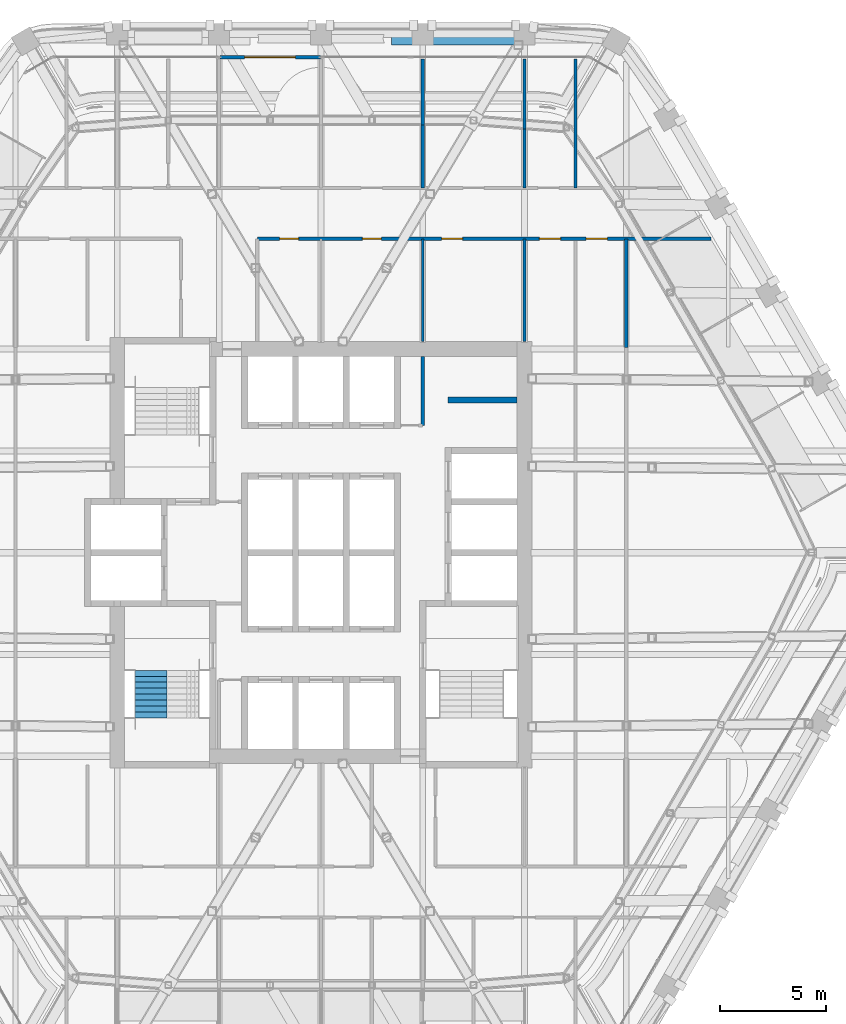
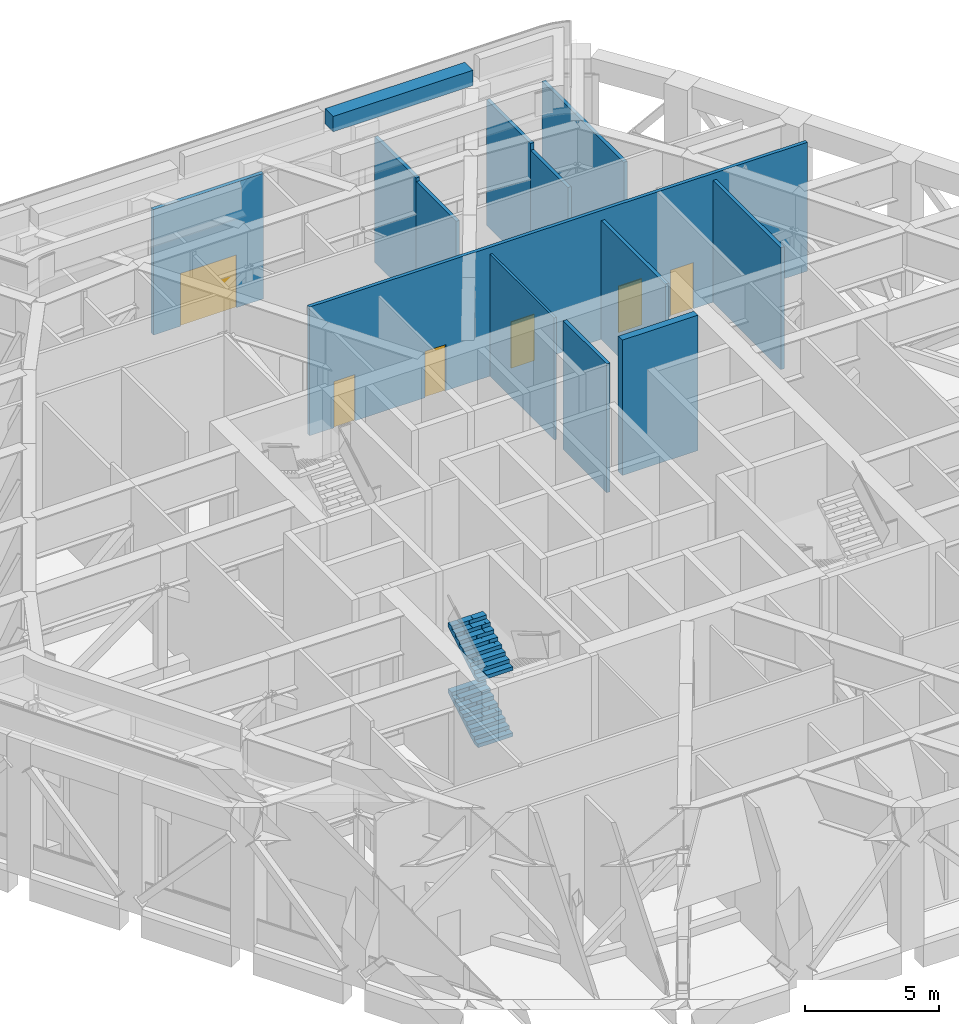
# One storey, part 17 of 24: 13 walls, 6 doors, 2 stair flights, 6 openings, 1 element without a shape of its own.
"""IFC4 building model written with IfcOpenShell, lengths in metres."""

from ifc_helpers import new_model, si_unit, direction, frame, frame_2d, origin, place, context, subcontext, project, spatial, polyline, rectangle, outline, extrude, material, layer, layer_set, type_object, element, fill, aggregate, save


model = new_model("IFC4")

# Units and contexts
model_context = context("Model", 3, precision=1e-05, world=origin(), true_north=direction((0.0, 1.0)))
body_context = subcontext(model_context, "Body", "Model", "MODEL_VIEW")
ifc_project = project(units=[si_unit("LENGTHUNIT", "METRE"), si_unit("AREAUNIT", "SQUARE_METRE"), si_unit("VOLUMEUNIT", "CUBIC_METRE"), si_unit("PLANEANGLEUNIT", "RADIAN"), si_unit("MASSUNIT", "GRAM", prefix="KILO")], contexts=[model_context])

# Site, building, storey
site_placement = place(None, origin())
site = spatial("IfcSite", under=ifc_project, at=site_placement, CompositionType="ELEMENT")
building_placement = place(site_placement, origin())
building = spatial("IfcBuilding", under=site, at=building_placement, Name="Kolab Exchange Tower", CompositionType="ELEMENT")
storey_placement = place(building_placement, frame((0.0, 0.0, 216.800048828125)))
storey = spatial("IfcBuildingStorey", under=building, at=storey_placement, Name="L47", CompositionType="ELEMENT", Elevation=216.800048828125)

# Wall, opening, door
ifc_material_1 = material(Name="Aluminium EN AW-6063 T6", Category="aluminium")
ifc_layer_1 = layer(ifc_material_1, 0.159912109375)
ifc_layer_set_1 = layer_set([ifc_layer_1], Name="Aluminium EN AW-6063 T6")
wall_type_1 = type_object("IfcWallType", Name="DOOR SURROUND WALL 160 ALUMINIUM FRAMED", PredefinedType="PARTITIONING", material=ifc_layer_set_1)
wall_1_placement = place(storey_placement, frame((-4.77001953125, 23.361572265625, 0.0), z_axis=(0.0, 0.0, 1.0), x_axis=(1.0, 0.0, 0.0)))
wall_1 = element("IfcWall", 1, at=wall_1_placement, inside=storey, type_object=wall_type_1, Name="Door surround wall", PredefinedType="PARTITIONING", context=body_context, shape_type="SweptSolid", body=[
    extrude(rectangle(XDim=4.739990234375, YDim=0.159912109375, at=frame_2d((2.3701171875, 0.0))), origin(), (0.0, 0.0, 1.0), 5.699951171875),
])
opening_1_placement = place(wall_1_placement, frame((1.169921875, 0.0, 0.0)))
opening_1 = element("IfcOpeningElement", 2, at=opening_1_placement, cuts=wall_1, Name="Opening GD1-086", PredefinedType="OPENING", context=body_context, shape_type="SweptSolid", body=[
    extrude(rectangle(XDim=2.39990234375, YDim=2.39990234375, at=frame_2d((1.199951171875, 1.199951171875))), frame((0.0, 0.08984375, 0.0), z_axis=(0.0, -1.0, 0.0), x_axis=(1.0, 0.0, 0.0)), (0.0, 0.0, 1.0), 0.179931640625),
])
door_type_1 = type_object("IfcDoorType", Name="LOGGIA SLIDING GLASS DOOR 2400 X 2400", OperationType="DOUBLE_DOOR_SINGLE_SWING", PredefinedType="DOOR", material=ifc_material_1)
door_1_placement = place(opening_1_placement, origin())
door_1 = element("IfcDoor", 3, at=door_1_placement, inside=storey, type_object=door_type_1, Name="Loggia door", OperationType="DOUBLE_DOOR_SLIDING", OverallHeight=2.39990234375, OverallWidth=2.39990234375, PredefinedType="DOOR", context=body_context, shape_type="SweptSolid", body=[
    extrude(rectangle(XDim=2.39990234375, YDim=2.39990234375, at=frame_2d((1.199951171875, 1.199951171875))), frame((0.0, 0.02490234375, 0.0), z_axis=(0.0, -1.0, 0.0), x_axis=(1.0, 0.0, 0.0)), (0.0, 0.0, 1.0), 0.050048828125),
])
fill(opening_1, door_1)

# Walls
ifc_material_2 = material(Name="Concrete C50/60", Category="concrete")
ifc_layer_2 = layer(ifc_material_2, 0.300048828125)
ifc_layer_set_2 = layer_set([ifc_layer_2], Name="Concrete C50/60")
wall_type_2 = type_object("IfcWallType", Name="LIFT SHAFT WALL 300 C50/60", PredefinedType="STANDARD", material=ifc_layer_set_2)
wall_2_placement = place(storey_placement, frame((6.0, 7.199951171875, -0.300048828125), z_axis=(0.0, 0.0, 1.0), x_axis=(1.0, 0.0, 0.0)))
element("IfcWall", 4, at=wall_2_placement, inside=storey, type_object=wall_type_2, Name="wall/L47/core/030", PredefinedType="STANDARD", context=body_context, shape_type="SweptSolid", body=[
    extrude(rectangle(XDim=3.25, YDim=0.300048828125, at=frame_2d((1.625, 0.0))), origin(), (0.0, 0.0, 1.0), 6.14990234375),
])
ifc_material_3 = material(Name="Gypsum board", Category="gypsum")
ifc_layer_3 = layer(ifc_material_3, 0.10009765625)
ifc_layer_set_3 = layer_set([ifc_layer_3], Name="Gypsum board")
wall_type_3 = type_object("IfcWallType", Name="PARTITION 100", PredefinedType="PARTITIONING", material=ifc_layer_set_3)
wall_3_placement = place(storey_placement, frame((4.800048828125, 9.949951171875, 0.0), z_axis=(0.0, 0.0, 1.0), x_axis=(0.0, 1.0, 0.0)))
element("IfcWall", 5, at=wall_3_placement, inside=storey, type_object=wall_type_3, Name="Partition 009", PredefinedType="PARTITIONING", context=body_context, shape_type="SweptSolid", body=[
    extrude(rectangle(XDim=4.85009765625, YDim=0.10009765625, at=frame_2d((2.425048828125, 0.0))), origin(), (0.0, 0.0, 1.0), 5.5400390625),
])
ifc_layer_4 = layer(ifc_material_3, 0.14990234375)
ifc_layer_set_4 = layer_set([ifc_layer_4], Name="Gypsum board")
wall_type_4 = type_object("IfcWallType", Name="PARTITION 150 FIRE-RATED", PredefinedType="PARTITIONING", material=ifc_layer_set_4)
wall_4_placement = place(storey_placement, frame((14.39990234375, 9.674072265625, 0.0), z_axis=(0.0, 0.0, 1.0), x_axis=(0.0, 1.0, 0.0)))
element("IfcWall", 6, at=wall_4_placement, inside=storey, type_object=wall_type_4, Name="Partition 000", PredefinedType="PARTITIONING", context=body_context, shape_type="SweptSolid", body=[
    extrude(rectangle(XDim=5.1259765625, YDim=0.14990234375, at=frame_2d((2.56298828125, 0.0))), origin(), (0.0, 0.0, 1.0), 5.5400390625),
])
wall_5_placement = place(storey_placement, frame((12.0, 17.199951171875, 0.0), z_axis=(0.0, 0.0, 1.0), x_axis=(0.0, 1.0, 0.0)))
element("IfcWall", 7, at=wall_5_placement, inside=storey, type_object=wall_type_4, Name="Partition 003", PredefinedType="PARTITIONING", context=body_context, shape_type="SweptSolid", body=[
    extrude(rectangle(XDim=6.071533203125, YDim=0.14990234375, at=frame_2d((3.03564453125, 0.0))), origin(), (0.0, 0.0, 1.0), 5.699951171875),
])
wall_6_placement = place(storey_placement, frame((9.60009765625, 9.949951171875, 0.0), z_axis=(0.0, 0.0, 1.0), x_axis=(0.0, 1.0, 0.0)))
element("IfcWall", 8, at=wall_6_placement, inside=storey, type_object=wall_type_4, Name="Partition 005", PredefinedType="PARTITIONING", context=body_context, shape_type="SweptSolid", body=[
    extrude(rectangle(XDim=4.85009765625, YDim=0.14990234375, at=frame_2d((2.425048828125, 0.0))), origin(), (0.0, 0.0, 1.0), 5.39306640625),
])
wall_7_placement = place(storey_placement, frame((9.60009765625, 19.982421875, 0.0), z_axis=(0.0, 0.0, 1.0), x_axis=(0.0, 1.0, 0.0)))
element("IfcWall", 9, at=wall_7_placement, inside=storey, type_object=wall_type_4, Name="Partition 006", PredefinedType="PARTITIONING", context=body_context, shape_type="SweptSolid", body=[
    extrude(rectangle(XDim=3.2890625, YDim=0.14990234375, at=frame_2d((1.64453125, 0.0))), origin(), (0.0, 0.0, 1.0), 5.699951171875),
])
wall_8_placement = place(storey_placement, frame((9.60009765625, 17.199951171875, 0.0), z_axis=(0.0, 0.0, 1.0), x_axis=(0.0, 1.0, 0.0)))
element("IfcWall", 10, at=wall_8_placement, inside=storey, type_object=wall_type_4, Name="Partition 006", PredefinedType="PARTITIONING", context=body_context, shape_type="SweptSolid", body=[
    extrude(rectangle(XDim=2.782470703125, YDim=0.14990234375, at=frame_2d((1.39111328125, 0.0))), origin(), (0.0, 0.0, 1.0), 5.39306640625),
])
wall_9_placement = place(storey_placement, frame((4.800048828125, 6.0, 0.0), z_axis=(0.0, 0.0, 1.0), x_axis=(0.0, 1.0, 0.0)))
element("IfcWall", 11, at=wall_9_placement, inside=storey, type_object=wall_type_4, Name="Partition 011", PredefinedType="PARTITIONING", context=body_context, shape_type="SweptSolid", body=[
    extrude(rectangle(XDim=3.25, YDim=0.14990234375, at=frame_2d((1.625, 0.0))), origin(), (0.0, 0.0, 1.0), 5.849853515625),
])
wall_10_placement = place(storey_placement, frame((4.800048828125, 20.174560546875, 0.0), z_axis=(0.0, 0.0, 1.0), x_axis=(0.0, 1.0, 0.0)))
element("IfcWall", 12, at=wall_10_placement, inside=storey, type_object=wall_type_4, Name="Partition 012", PredefinedType="PARTITIONING", context=body_context, shape_type="SweptSolid", body=[
    extrude(rectangle(XDim=3.096923828125, YDim=0.14990234375, at=frame_2d((1.54833984375, 0.0))), origin(), (0.0, 0.0, 1.0), 5.699951171875),
])
wall_11_placement = place(storey_placement, frame((4.800048828125, 17.199951171875, 0.0), z_axis=(0.0, 0.0, 1.0), x_axis=(0.0, 1.0, 0.0)))
element("IfcWall", 13, at=wall_11_placement, inside=storey, type_object=wall_type_4, Name="Partition 012", PredefinedType="PARTITIONING", context=body_context, shape_type="SweptSolid", body=[
    extrude(rectangle(XDim=2.974609375, YDim=0.14990234375, at=frame_2d((1.4873046875, 0.0))), origin(), (0.0, 0.0, 1.0), 5.5400390625),
])

# Wall, openings, doors
wall_12_placement = place(storey_placement, frame((-3.0, 14.800048828125, 0.0), z_axis=(0.0, 0.0, 1.0), x_axis=(1.0, 0.0, 0.0)))
wall_12 = element("IfcWall", 14, at=wall_12_placement, inside=storey, type_object=wall_type_4, Name="Partition 039", PredefinedType="PARTITIONING", context=body_context, shape_type="SweptSolid", body=[
    extrude(rectangle(XDim=21.384521484375, YDim=0.14990234375, at=frame_2d((10.6923828125, 0.0))), origin(), (0.0, 0.0, 1.0), 5.849853515625),
])
opening_2_placement = place(wall_12_placement, frame((1.050048828125, 0.0, 0.0)))
opening_2 = element("IfcOpeningElement", 15, at=opening_2_placement, cuts=wall_12, Name="Opening D3-069", PredefinedType="OPENING", context=body_context, shape_type="SweptSolid", body=[
    extrude(rectangle(XDim=0.89990234375, YDim=2.10009765625, at=frame_2d((0.449951171875, 1.050048828125))), frame((0.0, 0.0849609375, 0.0), z_axis=(0.0, -1.0, 0.0), x_axis=(1.0, 0.0, 0.0)), (0.0, 0.0, 1.0), 0.169921875),
])
opening_3_placement = place(wall_12_placement, frame((4.949951171875, 0.0, 0.0)))
opening_3 = element("IfcOpeningElement", 16, at=opening_3_placement, cuts=wall_12, Name="Opening D3-070", PredefinedType="OPENING", context=body_context, shape_type="SweptSolid", body=[
    extrude(rectangle(XDim=0.89990234375, YDim=2.10009765625, at=frame_2d((0.449951171875, 1.050048828125))), frame((0.0, 0.0849609375, 0.0), z_axis=(0.0, -1.0, 0.0), x_axis=(1.0, 0.0, 0.0)), (0.0, 0.0, 1.0), 0.169921875),
])
opening_4_placement = place(wall_12_placement, frame((8.68505859375, 0.0, 0.0)))
opening_4 = element("IfcOpeningElement", 17, at=opening_4_placement, cuts=wall_12, Name="Opening D1-605", PredefinedType="OPENING", context=body_context, shape_type="SweptSolid", body=[
    extrude(rectangle(XDim=1.0, YDim=2.10009765625, at=frame_2d((0.5, 1.050048828125))), frame((0.0, 0.0849609375, 0.0), z_axis=(0.0, -1.0, 0.0), x_axis=(1.0, 0.0, 0.0)), (0.0, 0.0, 1.0), 0.169921875),
])
opening_5_placement = place(wall_12_placement, frame((13.300048828125, 0.0, 0.0)))
opening_5 = element("IfcOpeningElement", 18, at=opening_5_placement, cuts=wall_12, Name="Opening D1-628", PredefinedType="OPENING", context=body_context, shape_type="SweptSolid", body=[
    extrude(rectangle(XDim=1.0, YDim=2.10009765625, at=frame_2d((0.5, 1.050048828125))), frame((0.0, 0.0849609375, 0.0), z_axis=(0.0, -1.0, 0.0), x_axis=(1.0, 0.0, 0.0)), (0.0, 0.0, 1.0), 0.169921875),
])
opening_6_placement = place(wall_12_placement, frame((15.5, 0.0, 0.0)))
opening_6 = element("IfcOpeningElement", 19, at=opening_6_placement, cuts=wall_12, Name="Opening D1-629", PredefinedType="OPENING", context=body_context, shape_type="SweptSolid", body=[
    extrude(rectangle(XDim=1.0, YDim=2.10009765625, at=frame_2d((0.5, 1.050048828125))), frame((0.0, 0.0849609375, 0.0), z_axis=(0.0, -1.0, 0.0), x_axis=(1.0, 0.0, 0.0)), (0.0, 0.0, 1.0), 0.169921875),
])
ifc_material_4 = material(Name="Steel S235", Category="steel")
door_type_2 = type_object("IfcDoorType", Name="FLUSH DOOR 1000 FD60", OperationType="SINGLE_SWING_LEFT", PredefinedType="DOOR", material=ifc_material_4)
door_2_placement = place(opening_4_placement, frame((1.0, 0.0, 0.0), z_axis=(0.0, 0.0, 1.0), x_axis=(-1.0, 0.0, 0.0)))
door_2 = element("IfcDoor", 20, at=door_2_placement, inside=storey, type_object=door_type_2, Name="Door L47-033", OperationType="SINGLE_SWING_LEFT", OverallHeight=2.10009765625, OverallWidth=1.0, PredefinedType="DOOR", context=body_context, shape_type="SweptSolid", body=[
    extrude(rectangle(XDim=1.0, YDim=2.10009765625, at=frame_2d((0.5, 1.050048828125))), frame((0.0, 0.02490234375, 0.0), z_axis=(0.0, -1.0, 0.0), x_axis=(1.0, 0.0, 0.0)), (0.0, 0.0, 1.0), 0.050048828125),
])
fill(opening_4, door_2)
door_3_placement = place(opening_5_placement, frame((1.0, 0.0, 0.0), z_axis=(0.0, 0.0, 1.0), x_axis=(-1.0, 0.0, 0.0)))
door_3 = element("IfcDoor", 21, at=door_3_placement, inside=storey, type_object=door_type_2, Name="Door L47-057", OperationType="SINGLE_SWING_RIGHT", OverallHeight=2.10009765625, OverallWidth=1.0, PredefinedType="DOOR", context=body_context, shape_type="SweptSolid", body=[
    extrude(rectangle(XDim=1.0, YDim=2.10009765625, at=frame_2d((0.5, 1.050048828125))), frame((0.0, 0.02490234375, 0.0), z_axis=(0.0, -1.0, 0.0), x_axis=(1.0, 0.0, 0.0)), (0.0, 0.0, 1.0), 0.050048828125),
])
fill(opening_5, door_3)
door_4_placement = place(opening_6_placement, frame((1.0, 0.0, 0.0), z_axis=(0.0, 0.0, 1.0), x_axis=(-1.0, 0.0, 0.0)))
door_4 = element("IfcDoor", 22, at=door_4_placement, inside=storey, type_object=door_type_2, Name="Door L47-058", OperationType="SINGLE_SWING_LEFT", OverallHeight=2.10009765625, OverallWidth=1.0, PredefinedType="DOOR", context=body_context, shape_type="SweptSolid", body=[
    extrude(rectangle(XDim=1.0, YDim=2.10009765625, at=frame_2d((0.5, 1.050048828125))), frame((0.0, 0.02490234375, 0.0), z_axis=(0.0, -1.0, 0.0), x_axis=(1.0, 0.0, 0.0)), (0.0, 0.0, 1.0), 0.050048828125),
])
fill(opening_6, door_4)
door_type_3 = type_object("IfcDoorType", Name="FLUSH DOOR 900 FD60", OperationType="SINGLE_SWING_LEFT", PredefinedType="DOOR", material=ifc_material_4)
door_5_placement = place(opening_2_placement, frame((0.89990234375, 0.0, 0.0), z_axis=(0.0, 0.0, 1.0), x_axis=(-1.0, 0.0, 0.0)))
door_5 = element("IfcDoor", 23, at=door_5_placement, inside=storey, type_object=door_type_3, Name="Door L47-031", OperationType="SINGLE_SWING_LEFT", OverallHeight=2.10009765625, OverallWidth=0.89990234375, PredefinedType="DOOR", context=body_context, shape_type="SweptSolid", body=[
    extrude(rectangle(XDim=0.89990234375, YDim=2.10009765625, at=frame_2d((0.449951171875, 1.050048828125))), frame((0.0, 0.02490234375, 0.0), z_axis=(0.0, -1.0, 0.0), x_axis=(1.0, 0.0, 0.0)), (0.0, 0.0, 1.0), 0.050048828125),
])
fill(opening_2, door_5)
door_6_placement = place(opening_3_placement, frame((0.89990234375, 0.0, 0.0), z_axis=(0.0, 0.0, 1.0), x_axis=(-1.0, 0.0, 0.0)))
door_6 = element("IfcDoor", 24, at=door_6_placement, inside=storey, type_object=door_type_3, Name="Door L47-032", OperationType="SINGLE_SWING_RIGHT", OverallHeight=2.10009765625, OverallWidth=0.89990234375, PredefinedType="DOOR", context=body_context, shape_type="SweptSolid", body=[
    extrude(rectangle(XDim=0.89990234375, YDim=2.10009765625, at=frame_2d((0.449951171875, 1.050048828125))), frame((0.0, 0.02490234375, 0.0), z_axis=(0.0, -1.0, 0.0), x_axis=(1.0, 0.0, 0.0)), (0.0, 0.0, 1.0), 0.050048828125),
])
fill(opening_3, door_6)

# Wall
ifc_material_5 = material(Name="Granite facing", Category="masonry")
ifc_layer_5 = layer(ifc_material_5, 0.0400390625)
ifc_material_6 = material(Name="Concrete C40/50 precast", Category="concrete")
ifc_layer_6 = layer(ifc_material_6, 0.56005859375)
ifc_layer_set_5 = layer_set([ifc_layer_5, ifc_layer_6], Name="Concrete C40/50 precast")
wall_type_5 = type_object("IfcWallType", Name="PLANTER BOX 600 X 700 SOIL DEPTH 550", PredefinedType="USERDEFINED", material=ifc_layer_set_5)
wall_13_placement = place(storey_placement, frame((3.333984375, 24.241455078125, 6.0), z_axis=(0.0, 0.0, 1.0), x_axis=(1.0, 0.0, 0.0)))
element("IfcWall", 25, at=wall_13_placement, inside=storey, type_object=wall_type_5, Name="Planter", ObjectType="PLANTER", PredefinedType="USERDEFINED", context=body_context, shape_type="SweptSolid", body=[
    extrude(rectangle(XDim=6.0, YDim=0.60009765625, at=frame_2d((3.0, 0.0))), origin(), (0.0, 0.0, 1.0), 0.699951171875),
])

# Stair, stair flights
stair_type = type_object("IfcStairType", Name="STAIR ST3 RISER 166.7", PredefinedType="DOUBLE_RETURN_STAIR", material=ifc_material_2)
stair_placement = place(storey_placement, origin())
stair = element("IfcStair", 26, at=stair_placement, inside=storey, type_object=stair_type, Name="Stair 3", PredefinedType="DOUBLE_RETURN_STAIR")
stair_flight_type = type_object("IfcStairFlightType", Name="STAIR FLIGHT 1500 RISER 166.7", PredefinedType="STRAIGHT", material=ifc_material_2)
stair_flight_1_placement = place(storey_placement, frame((-8.010009765625, -7.7900390625, 1.5), z_axis=(0.0, 0.0, 1.0), x_axis=(0.0, 1.0, 0.0)))
stair_flight_1 = element("IfcStairFlight", 27, at=stair_flight_1_placement, type_object=stair_flight_type, Name="ST3 flight 2", NumberOfRisers=9, NumberOfTreads=8, PredefinedType="STRAIGHT", RiserHeight=0.166666667, TreadLength=0.28, context=body_context, shape_type="SweptSolid", body=[
    extrude(outline(polyline([(0.0, 0.0), (0.0, 0.166748046875), (0.280029296875, 0.166748046875), (0.280029296875, 0.333251953125), (0.56005859375, 0.333251953125), (0.56005859375, 0.5), (0.840087890625, 0.5), (0.840087890625, 0.666748046875), (1.1201171875, 0.666748046875), (1.1201171875, 0.833251953125), (1.39990234375, 0.833251953125), (1.39990234375, 1.0), (1.679931640625, 1.0), (1.679931640625, 1.166748046875), (1.9599609375, 1.166748046875), (1.9599609375, 1.333251953125), (2.239990234375, 1.333251953125), (2.239990234375, 1.5), (2.239990234375, 1.158935546875), (0.29296875, 0.0), (0.0, 0.0)])), frame((0.0, 0.75, 0.0), z_axis=(0.0, -1.0, 0.0), x_axis=(1.0, 0.0, 0.0)), (0.0, 0.0, 1.0), 0.185791015625),
    extrude(outline(polyline([(0.0, 0.0), (0.0, 0.166748046875), (0.280029296875, 0.166748046875), (0.280029296875, 0.333251953125), (0.56005859375, 0.333251953125), (0.56005859375, 0.5), (0.840087890625, 0.5), (0.840087890625, 0.666748046875), (1.1201171875, 0.666748046875), (1.1201171875, 0.833251953125), (1.39990234375, 0.833251953125), (1.39990234375, 1.0), (1.679931640625, 1.0), (1.679931640625, 1.166748046875), (1.9599609375, 1.166748046875), (1.9599609375, 1.333251953125), (2.239990234375, 1.333251953125), (2.239990234375, 1.5), (2.239990234375, 1.158935546875), (0.29296875, 0.0), (0.0, 0.0)])), frame((0.0, 0.562255859375, 0.0), z_axis=(0.0, -1.0, 0.0), x_axis=(1.0, 0.0, 0.0)), (0.0, 0.0, 1.0), 0.185791015625),
    extrude(outline(polyline([(0.0, 0.0), (0.0, 0.166748046875), (0.280029296875, 0.166748046875), (0.280029296875, 0.333251953125), (0.56005859375, 0.333251953125), (0.56005859375, 0.5), (0.840087890625, 0.5), (0.840087890625, 0.666748046875), (1.1201171875, 0.666748046875), (1.1201171875, 0.833251953125), (1.39990234375, 0.833251953125), (1.39990234375, 1.0), (1.679931640625, 1.0), (1.679931640625, 1.166748046875), (1.9599609375, 1.166748046875), (1.9599609375, 1.333251953125), (2.239990234375, 1.333251953125), (2.239990234375, 1.5), (2.239990234375, 1.158935546875), (0.29296875, 0.0), (0.0, 0.0)])), frame((0.0, 0.37451171875, 0.0), z_axis=(0.0, -1.0, 0.0), x_axis=(1.0, 0.0, 0.0)), (0.0, 0.0, 1.0), 0.185791015625),
    extrude(outline(polyline([(0.0, 0.0), (0.0, 0.166748046875), (0.280029296875, 0.166748046875), (0.280029296875, 0.333251953125), (0.56005859375, 0.333251953125), (0.56005859375, 0.5), (0.840087890625, 0.5), (0.840087890625, 0.666748046875), (1.1201171875, 0.666748046875), (1.1201171875, 0.833251953125), (1.39990234375, 0.833251953125), (1.39990234375, 1.0), (1.679931640625, 1.0), (1.679931640625, 1.166748046875), (1.9599609375, 1.166748046875), (1.9599609375, 1.333251953125), (2.239990234375, 1.333251953125), (2.239990234375, 1.5), (2.239990234375, 1.158935546875), (0.29296875, 0.0), (0.0, 0.0)])), frame((0.0, 0.186767578125, 0.0), z_axis=(0.0, -1.0, 0.0), x_axis=(1.0, 0.0, 0.0)), (0.0, 0.0, 1.0), 0.185791015625),
    extrude(outline(polyline([(0.0, 0.0), (0.0, 0.166748046875), (0.280029296875, 0.166748046875), (0.280029296875, 0.333251953125), (0.56005859375, 0.333251953125), (0.56005859375, 0.5), (0.840087890625, 0.5), (0.840087890625, 0.666748046875), (1.1201171875, 0.666748046875), (1.1201171875, 0.833251953125), (1.39990234375, 0.833251953125), (1.39990234375, 1.0), (1.679931640625, 1.0), (1.679931640625, 1.166748046875), (1.9599609375, 1.166748046875), (1.9599609375, 1.333251953125), (2.239990234375, 1.333251953125), (2.239990234375, 1.5), (2.239990234375, 1.158935546875), (0.29296875, 0.0), (0.0, 0.0)])), frame((0.0, -0.0009765625, 0.0), z_axis=(0.0, -1.0, 0.0), x_axis=(1.0, 0.0, 0.0)), (0.0, 0.0, 1.0), 0.185791015625),
    extrude(outline(polyline([(0.0, 0.0), (0.0, 0.166748046875), (0.280029296875, 0.166748046875), (0.280029296875, 0.333251953125), (0.56005859375, 0.333251953125), (0.56005859375, 0.5), (0.840087890625, 0.5), (0.840087890625, 0.666748046875), (1.1201171875, 0.666748046875), (1.1201171875, 0.833251953125), (1.39990234375, 0.833251953125), (1.39990234375, 1.0), (1.679931640625, 1.0), (1.679931640625, 1.166748046875), (1.9599609375, 1.166748046875), (1.9599609375, 1.333251953125), (2.239990234375, 1.333251953125), (2.239990234375, 1.5), (2.239990234375, 1.158935546875), (0.29296875, 0.0), (0.0, 0.0)])), frame((0.0, -0.188720703125, 0.0), z_axis=(0.0, -1.0, 0.0), x_axis=(1.0, 0.0, 0.0)), (0.0, 0.0, 1.0), 0.185791015625),
    extrude(outline(polyline([(0.0, 0.0), (0.0, 0.166748046875), (0.280029296875, 0.166748046875), (0.280029296875, 0.333251953125), (0.56005859375, 0.333251953125), (0.56005859375, 0.5), (0.840087890625, 0.5), (0.840087890625, 0.666748046875), (1.1201171875, 0.666748046875), (1.1201171875, 0.833251953125), (1.39990234375, 0.833251953125), (1.39990234375, 1.0), (1.679931640625, 1.0), (1.679931640625, 1.166748046875), (1.9599609375, 1.166748046875), (1.9599609375, 1.333251953125), (2.239990234375, 1.333251953125), (2.239990234375, 1.5), (2.239990234375, 1.158935546875), (0.29296875, 0.0), (0.0, 0.0)])), frame((0.0, -0.37646484375, 0.0), z_axis=(0.0, -1.0, 0.0), x_axis=(1.0, 0.0, 0.0)), (0.0, 0.0, 1.0), 0.185791015625),
    extrude(outline(polyline([(0.0, 0.0), (0.0, 0.166748046875), (0.280029296875, 0.166748046875), (0.280029296875, 0.333251953125), (0.56005859375, 0.333251953125), (0.56005859375, 0.5), (0.840087890625, 0.5), (0.840087890625, 0.666748046875), (1.1201171875, 0.666748046875), (1.1201171875, 0.833251953125), (1.39990234375, 0.833251953125), (1.39990234375, 1.0), (1.679931640625, 1.0), (1.679931640625, 1.166748046875), (1.9599609375, 1.166748046875), (1.9599609375, 1.333251953125), (2.239990234375, 1.333251953125), (2.239990234375, 1.5), (2.239990234375, 1.158935546875), (0.29296875, 0.0), (0.0, 0.0)])), frame((0.0, -0.564208984375, 0.0), z_axis=(0.0, -1.0, 0.0), x_axis=(1.0, 0.0, 0.0)), (0.0, 0.0, 1.0), 0.185791015625),
])
stair_flight_2_placement = place(storey_placement, frame((-8.010009765625, -7.7900390625, 4.5), z_axis=(0.0, 0.0, 1.0), x_axis=(0.0, 1.0, 0.0)))
stair_flight_2 = element("IfcStairFlight", 28, at=stair_flight_2_placement, type_object=stair_flight_type, Name="ST3 flight 4", NumberOfRisers=9, NumberOfTreads=8, PredefinedType="STRAIGHT", RiserHeight=0.166666667, TreadLength=0.28, context=body_context, shape_type="SweptSolid", body=[
    extrude(outline(polyline([(0.0, 0.0), (0.0, 0.166748046875), (0.280029296875, 0.166748046875), (0.280029296875, 0.333251953125), (0.56005859375, 0.333251953125), (0.56005859375, 0.5), (0.840087890625, 0.5), (0.840087890625, 0.666748046875), (1.1201171875, 0.666748046875), (1.1201171875, 0.833251953125), (1.39990234375, 0.833251953125), (1.39990234375, 1.0), (1.679931640625, 1.0), (1.679931640625, 1.166748046875), (1.9599609375, 1.166748046875), (1.9599609375, 1.333251953125), (2.239990234375, 1.333251953125), (2.239990234375, 1.5), (2.239990234375, 1.158935546875), (0.29296875, 0.0), (0.0, 0.0)])), frame((0.0, 0.75, 0.0), z_axis=(0.0, -1.0, 0.0), x_axis=(1.0, 0.0, 0.0)), (0.0, 0.0, 1.0), 0.185791015625),
    extrude(outline(polyline([(0.0, 0.0), (0.0, 0.166748046875), (0.280029296875, 0.166748046875), (0.280029296875, 0.333251953125), (0.56005859375, 0.333251953125), (0.56005859375, 0.5), (0.840087890625, 0.5), (0.840087890625, 0.666748046875), (1.1201171875, 0.666748046875), (1.1201171875, 0.833251953125), (1.39990234375, 0.833251953125), (1.39990234375, 1.0), (1.679931640625, 1.0), (1.679931640625, 1.166748046875), (1.9599609375, 1.166748046875), (1.9599609375, 1.333251953125), (2.239990234375, 1.333251953125), (2.239990234375, 1.5), (2.239990234375, 1.158935546875), (0.29296875, 0.0), (0.0, 0.0)])), frame((0.0, 0.562255859375, 0.0), z_axis=(0.0, -1.0, 0.0), x_axis=(1.0, 0.0, 0.0)), (0.0, 0.0, 1.0), 0.185791015625),
    extrude(outline(polyline([(0.0, 0.0), (0.0, 0.166748046875), (0.280029296875, 0.166748046875), (0.280029296875, 0.333251953125), (0.56005859375, 0.333251953125), (0.56005859375, 0.5), (0.840087890625, 0.5), (0.840087890625, 0.666748046875), (1.1201171875, 0.666748046875), (1.1201171875, 0.833251953125), (1.39990234375, 0.833251953125), (1.39990234375, 1.0), (1.679931640625, 1.0), (1.679931640625, 1.166748046875), (1.9599609375, 1.166748046875), (1.9599609375, 1.333251953125), (2.239990234375, 1.333251953125), (2.239990234375, 1.5), (2.239990234375, 1.158935546875), (0.29296875, 0.0), (0.0, 0.0)])), frame((0.0, 0.37451171875, 0.0), z_axis=(0.0, -1.0, 0.0), x_axis=(1.0, 0.0, 0.0)), (0.0, 0.0, 1.0), 0.185791015625),
    extrude(outline(polyline([(0.0, 0.0), (0.0, 0.166748046875), (0.280029296875, 0.166748046875), (0.280029296875, 0.333251953125), (0.56005859375, 0.333251953125), (0.56005859375, 0.5), (0.840087890625, 0.5), (0.840087890625, 0.666748046875), (1.1201171875, 0.666748046875), (1.1201171875, 0.833251953125), (1.39990234375, 0.833251953125), (1.39990234375, 1.0), (1.679931640625, 1.0), (1.679931640625, 1.166748046875), (1.9599609375, 1.166748046875), (1.9599609375, 1.333251953125), (2.239990234375, 1.333251953125), (2.239990234375, 1.5), (2.239990234375, 1.158935546875), (0.29296875, 0.0), (0.0, 0.0)])), frame((0.0, 0.186767578125, 0.0), z_axis=(0.0, -1.0, 0.0), x_axis=(1.0, 0.0, 0.0)), (0.0, 0.0, 1.0), 0.185791015625),
    extrude(outline(polyline([(0.0, 0.0), (0.0, 0.166748046875), (0.280029296875, 0.166748046875), (0.280029296875, 0.333251953125), (0.56005859375, 0.333251953125), (0.56005859375, 0.5), (0.840087890625, 0.5), (0.840087890625, 0.666748046875), (1.1201171875, 0.666748046875), (1.1201171875, 0.833251953125), (1.39990234375, 0.833251953125), (1.39990234375, 1.0), (1.679931640625, 1.0), (1.679931640625, 1.166748046875), (1.9599609375, 1.166748046875), (1.9599609375, 1.333251953125), (2.239990234375, 1.333251953125), (2.239990234375, 1.5), (2.239990234375, 1.158935546875), (0.29296875, 0.0), (0.0, 0.0)])), frame((0.0, -0.0009765625, 0.0), z_axis=(0.0, -1.0, 0.0), x_axis=(1.0, 0.0, 0.0)), (0.0, 0.0, 1.0), 0.185791015625),
    extrude(outline(polyline([(0.0, 0.0), (0.0, 0.166748046875), (0.280029296875, 0.166748046875), (0.280029296875, 0.333251953125), (0.56005859375, 0.333251953125), (0.56005859375, 0.5), (0.840087890625, 0.5), (0.840087890625, 0.666748046875), (1.1201171875, 0.666748046875), (1.1201171875, 0.833251953125), (1.39990234375, 0.833251953125), (1.39990234375, 1.0), (1.679931640625, 1.0), (1.679931640625, 1.166748046875), (1.9599609375, 1.166748046875), (1.9599609375, 1.333251953125), (2.239990234375, 1.333251953125), (2.239990234375, 1.5), (2.239990234375, 1.158935546875), (0.29296875, 0.0), (0.0, 0.0)])), frame((0.0, -0.188720703125, 0.0), z_axis=(0.0, -1.0, 0.0), x_axis=(1.0, 0.0, 0.0)), (0.0, 0.0, 1.0), 0.185791015625),
    extrude(outline(polyline([(0.0, 0.0), (0.0, 0.166748046875), (0.280029296875, 0.166748046875), (0.280029296875, 0.333251953125), (0.56005859375, 0.333251953125), (0.56005859375, 0.5), (0.840087890625, 0.5), (0.840087890625, 0.666748046875), (1.1201171875, 0.666748046875), (1.1201171875, 0.833251953125), (1.39990234375, 0.833251953125), (1.39990234375, 1.0), (1.679931640625, 1.0), (1.679931640625, 1.166748046875), (1.9599609375, 1.166748046875), (1.9599609375, 1.333251953125), (2.239990234375, 1.333251953125), (2.239990234375, 1.5), (2.239990234375, 1.158935546875), (0.29296875, 0.0), (0.0, 0.0)])), frame((0.0, -0.37646484375, 0.0), z_axis=(0.0, -1.0, 0.0), x_axis=(1.0, 0.0, 0.0)), (0.0, 0.0, 1.0), 0.185791015625),
    extrude(outline(polyline([(0.0, 0.0), (0.0, 0.166748046875), (0.280029296875, 0.166748046875), (0.280029296875, 0.333251953125), (0.56005859375, 0.333251953125), (0.56005859375, 0.5), (0.840087890625, 0.5), (0.840087890625, 0.666748046875), (1.1201171875, 0.666748046875), (1.1201171875, 0.833251953125), (1.39990234375, 0.833251953125), (1.39990234375, 1.0), (1.679931640625, 1.0), (1.679931640625, 1.166748046875), (1.9599609375, 1.166748046875), (1.9599609375, 1.333251953125), (2.239990234375, 1.333251953125), (2.239990234375, 1.5), (2.239990234375, 1.158935546875), (0.29296875, 0.0), (0.0, 0.0)])), frame((0.0, -0.564208984375, 0.0), z_axis=(0.0, -1.0, 0.0), x_axis=(1.0, 0.0, 0.0)), (0.0, 0.0, 1.0), 0.185791015625),
])
aggregate(stair, [stair_flight_1, stair_flight_2])

save(model, "model.ifc")
